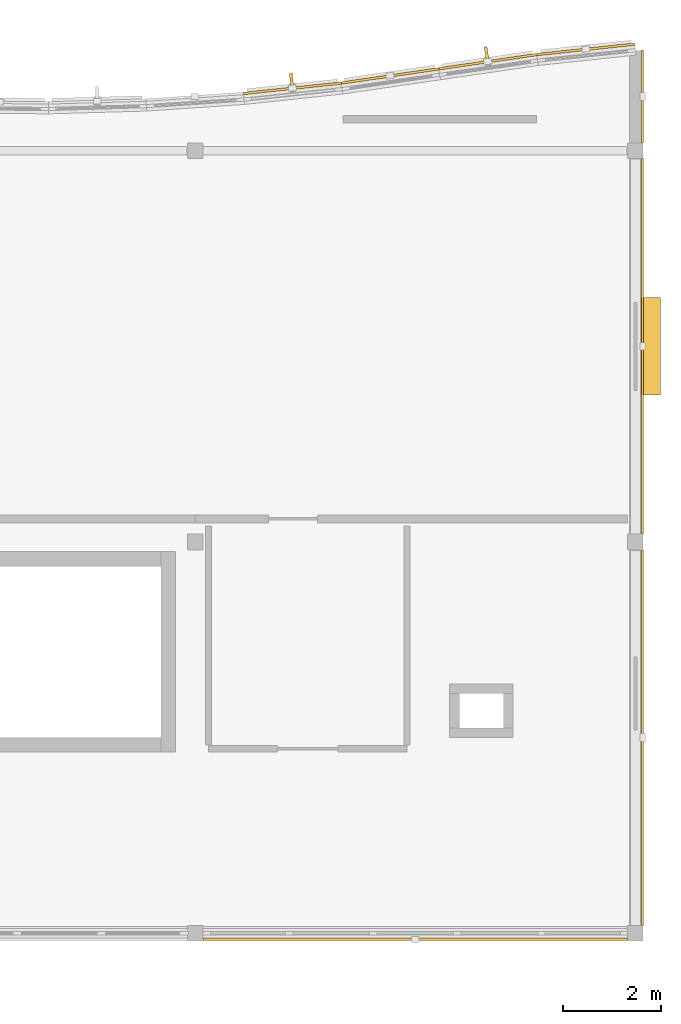
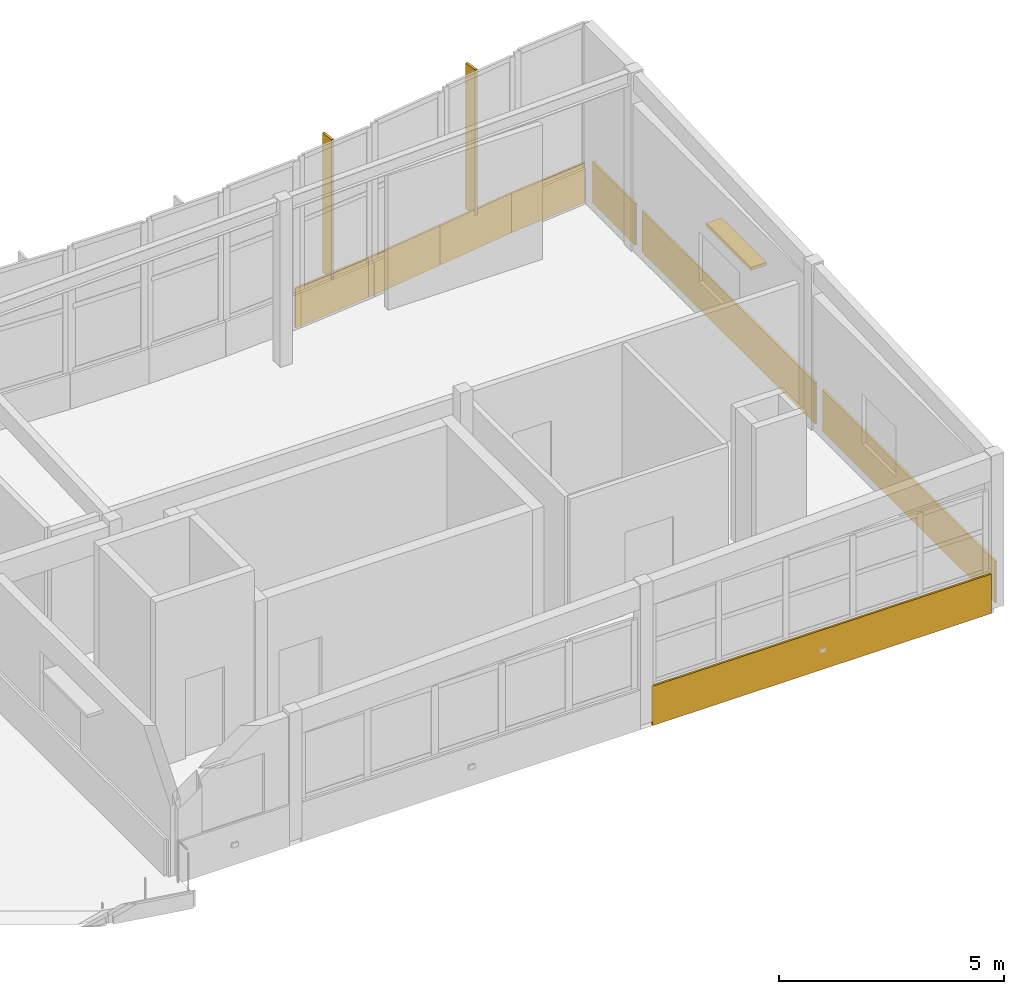
# One storey, part 20 of 20: 8 coverings, 3 shading devices.
"""IFC4 building model written with IfcOpenShell, lengths in metres."""

import ifcopenshell
import ifcopenshell.guid

model = None  # the IFC model being written
_history = None  # IfcOwnerHistory: only IFC2X3 demands one
_inside = {}  # id of a spatial element -> (the spatial element, [elements in it])
_under = {}  # id of a project, library or spatial element -> (it, [spatial elements below it])
_declared = {}  # id of a project -> (the project, [libraries it declares])
_typed = {}  # id of a type object -> (the type object, [elements of that type])
_made_of = {}  # id of a material, layer set ... -> (it, [elements and type objects made of it])


def new_model(schema):
    """Start an empty IFC model of exactly this schema.

    Asked for "IFC4X3", IfcOpenShell would pick the latest addendum, in which some entities
    have other attributes; the version numbers below select the first issue.
    IFC2X3 requires an IfcOwnerHistory on every rooted entity: one is made here for all.
    """
    global model, _history
    if schema == "IFC4X3":
        model = ifcopenshell.file(schema_version=(4, 3, 0, 0))
    else:
        model = ifcopenshell.file(schema=schema)
    _inside.clear()
    _under.clear()
    _declared.clear()
    _typed.clear()
    _made_of.clear()
    _history = None
    if model.schema == "IFC2X3":
        org = make("IfcOrganization", Name="unknown")
        user = make(
            "IfcPersonAndOrganization",
            ThePerson=make("IfcPerson", FamilyName="unknown"),
            TheOrganization=org,
        )
        app = make(
            "IfcApplication",
            ApplicationDeveloper=org,
            Version="unknown",
            ApplicationFullName="unknown",
            ApplicationIdentifier="unknown",
        )
        _history = make(
            "IfcOwnerHistory",
            OwningUser=user,
            OwningApplication=app,
            ChangeAction="ADDED",
            CreationDate=0,
        )
    return model


def make(cls, **values):
    """One entity of the class cls with the attributes given. An attribute that is None is left unset."""
    return model.create_entity(
        cls, **{name: value for name, value in values.items() if value is not None}
    )


def rooted(cls, **values):
    """An entity with a GlobalId (a new one), such as an element, a storey or a relation."""
    return make(cls, GlobalId=ifcopenshell.guid.new(), OwnerHistory=_history, **values)


def si_unit(unit_type, name, prefix=None):
    """IfcSIUnit, for example si_unit("LENGTHUNIT", "METRE", prefix="MILLI")."""
    return make("IfcSIUnit", UnitType=unit_type, Prefix=prefix, Name=name)


def assignment(units):
    """IfcUnitAssignment: the units of a project."""
    return None if units is None else make("IfcUnitAssignment", Units=units)


def point(xyz):
    """IfcCartesianPoint."""
    return None if xyz is None else make("IfcCartesianPoint", Coordinates=xyz)


def direction(xyz):
    """IfcDirection."""
    return None if xyz is None else make("IfcDirection", DirectionRatios=xyz)


def frame(location, z_axis=None, x_axis=None):
    """IfcAxis2Placement3D, a coordinate frame: its origin and axes. An axis left out is left unset."""
    return make(
        "IfcAxis2Placement3D",
        Location=point(location),
        Axis=direction(z_axis),
        RefDirection=direction(x_axis),
    )


def frame_2d(location, x_axis=None):
    """IfcAxis2Placement2D, a coordinate frame in the plane: its origin and x axis."""
    return make(
        "IfcAxis2Placement2D", Location=point(location), RefDirection=direction(x_axis)
    )


def origin():
    """The frame at (0, 0, 0) with its axes left unset."""
    return frame((0.0, 0.0, 0.0))


def origin_2d():
    """The frame at (0, 0) in the plane with its x axis left unset."""
    return frame_2d((0.0, 0.0))


def place(relative_to, where):
    """IfcLocalPlacement: puts the frame where relative to a parent placement (None: the world)."""
    return make(
        "IfcLocalPlacement", PlacementRelTo=relative_to, RelativePlacement=where
    )


def context(
    kind, dimensions, precision=None, world=None, true_north=None, identifier=None
):
    """IfcGeometricRepresentationContext, for example the 3D "Model" context."""
    return make(
        "IfcGeometricRepresentationContext",
        ContextIdentifier=identifier,
        ContextType=kind,
        CoordinateSpaceDimension=dimensions,
        Precision=precision,
        WorldCoordinateSystem=world,
        TrueNorth=true_north,
    )


def subcontext(parent, identifier, kind, view, scale=None):
    """IfcGeometricRepresentationSubContext, for example "Body" below "Model"."""
    return make(
        "IfcGeometricRepresentationSubContext",
        ContextIdentifier=identifier,
        ContextType=kind,
        ParentContext=parent,
        TargetScale=scale,
        TargetView=view,
    )


def project(units=None, contexts=None):
    """IfcProject with its units and contexts."""
    return rooted(
        "IfcProject",
        Name="project",
        RepresentationContexts=contexts,
        UnitsInContext=assignment(units),
    )


def spatial(cls, under=None, at=None, **own):
    """A site, building, storey or space (cls), placed at a placement, below another one or the project."""
    s = rooted(cls, ObjectPlacement=at, **own)
    if under is not None:
        _under.setdefault(under.id(), (under, []))[1].append(s)
    return s


def polyline(points):
    """IfcPolyline through the points."""
    return make("IfcPolyline", Points=[point(p) for p in points])


def profile(cls, at=None, kind="AREA", **sizes):
    """A parametric profile (cls). Its sizes go by their IFC names, for example OverallWidth=200.0."""
    return make(cls, ProfileType=kind, Position=at, **sizes)


def rectangle(**sizes):
    """IfcRectangleProfileDef."""
    return profile("IfcRectangleProfileDef", **sizes)


def outline(outer, holes=None, kind="AREA"):
    """IfcArbitraryClosedProfileDef: a profile drawn as a closed curve; with holes, ...WithVoids."""
    if holes is None:
        return make("IfcArbitraryClosedProfileDef", ProfileType=kind, OuterCurve=outer)
    return make(
        "IfcArbitraryProfileDefWithVoids",
        ProfileType=kind,
        OuterCurve=outer,
        InnerCurves=holes,
    )


def extrude(swept, where, along, depth):
    """IfcExtrudedAreaSolid: the profile swept, set in the frame where, extruded along a direction by depth."""
    return make(
        "IfcExtrudedAreaSolid",
        SweptArea=swept,
        Position=where,
        ExtrudedDirection=direction(along),
        Depth=depth,
    )


def shape(context_of_items, identifier, shape_type, items):
    """IfcShapeRepresentation: the items that make up one representation, for example the "Body"."""
    return make(
        "IfcShapeRepresentation",
        ContextOfItems=context_of_items,
        RepresentationIdentifier=identifier,
        RepresentationType=shape_type,
        Items=items,
    )


def material(Name=None, Category=None):
    """IfcMaterial."""
    return make("IfcMaterial", Name=Name, Category=Category)


def layer(
    of_material, thickness, ventilated=None, Name=None, Category=None, Priority=None
):
    """IfcMaterialLayer: one layer of a wall or slab, of a material (None: an air gap)."""
    return make(
        "IfcMaterialLayer",
        Material=of_material,
        LayerThickness=thickness,
        IsVentilated=ventilated,
        Name=Name,
        Category=Category,
        Priority=Priority,
    )


def layer_set(layers, Name=None):
    """IfcMaterialLayerSet."""
    return make("IfcMaterialLayerSet", MaterialLayers=layers, LayerSetName=Name)


def made_of(thing, what):
    """Note that an element or type object is made of a material, layer set ...; save() writes the relation."""
    if what is not None:
        _made_of.setdefault(what.id(), (what, []))[1].append(thing)
    return thing


def type_object(cls, material=None, **own):
    """A type object (cls), such as IfcWallType, which elements share."""
    return made_of(rooted(cls, **own), material)


def element(
    cls,
    number,
    at=None,
    inside=None,
    cuts=None,
    type_object=None,
    material=None,
    context=None,
    identifier="Body",
    shape_type=None,
    held_by="IfcProductDefinitionShape",
    body=None,
    shapes=None,
    **own,
):
    """One element of the class cls, such as IfcWall. Its Tag is "e" and its number.

    at: its placement. inside: the storey or other place that contains it. cuts: it is an
    opening in that element (IfcRelVoidsElement). A single representation is given by context,
    identifier, shape_type and body (its items); several are given by shapes. held_by: the class
    of the entity that holds the representations. save() writes the other relations.
    """
    e = rooted(cls, Tag="e%d" % number, ObjectPlacement=at, **own)
    if body is not None:
        shapes = [shape(context, identifier, shape_type, body)]
    if shapes is not None:
        e.Representation = make(held_by, Representations=shapes)
    if inside is not None:
        _inside.setdefault(inside.id(), (inside, []))[1].append(e)
    if cuts is not None:
        rooted(
            "IfcRelVoidsElement", RelatingBuildingElement=cuts, RelatedOpeningElement=e
        )
    if type_object is not None:
        _typed.setdefault(type_object.id(), (type_object, []))[1].append(e)
    return made_of(e, material)


def aggregate(whole, parts):
    """IfcRelAggregates: a whole, such as a stair, and the parts it consists of."""
    return rooted("IfcRelAggregates", RelatingObject=whole, RelatedObjects=parts)


def save(model, path):
    """Write the relations noted so far, then the file.

    IfcRelAggregates (storeys below a building ...), IfcRelContainedInSpatialStructure (elements
    in a storey), IfcRelDefinesByType, IfcRelAssociatesMaterial and IfcRelDeclares: one each for
    every whole, place, type object, material and project.
    """
    for whole, parts in _under.values():
        aggregate(whole, parts)
    for where, things in _inside.values():
        rooted(
            "IfcRelContainedInSpatialStructure",
            RelatedElements=things,
            RelatingStructure=where,
        )
    for kind, things in _typed.values():
        rooted("IfcRelDefinesByType", RelatedObjects=things, RelatingType=kind)
    for what, things in _made_of.values():
        rooted("IfcRelAssociatesMaterial", RelatedObjects=things, RelatingMaterial=what)
    for by, libraries in _declared.values():
        rooted("IfcRelDeclares", RelatingContext=by, RelatedDefinitions=libraries)
    model.write(path)


model = new_model("IFC4")

# Units and contexts
model_context = context("Model", 3, precision=1e-05, world=origin(), true_north=direction((0.0, 1.0)))
body_context = subcontext(model_context, "Body", "Model", "MODEL_VIEW")
ifc_project = project(units=[si_unit("LENGTHUNIT", "METRE"), si_unit("AREAUNIT", "SQUARE_METRE"), si_unit("VOLUMEUNIT", "CUBIC_METRE"), si_unit("PLANEANGLEUNIT", "RADIAN"), si_unit("MASSUNIT", "GRAM", prefix="KILO")], contexts=[model_context])

# Site, building, storey
site_placement = place(None, origin())
site = spatial("IfcSite", under=ifc_project, at=site_placement, CompositionType="ELEMENT")
building_placement = place(site_placement, origin())
building = spatial("IfcBuilding", under=site, at=building_placement, Name="Tonlespit Floodbar School", CompositionType="ELEMENT")
storey_placement = place(building_placement, frame((0.0, 0.0, 20.10009765625)))
storey = spatial("IfcBuildingStorey", under=building, at=storey_placement, Name="L05", CompositionType="ELEMENT", Elevation=20.10009765625)

# Coverings
ifc_material_1 = material(Name="White Architectural Aluminium", Category="aluminium")
ifc_layer_1 = layer(ifc_material_1, 0.050048828125)
ifc_layer_set_1 = layer_set([ifc_layer_1], Name="White Architectural Aluminium")
covering_type = type_object("IfcCoveringType", Name="Cladding_WhiteBand_50", PredefinedType="CLADDING", material=ifc_layer_set_1)
covering_1_placement = place(storey_placement, frame((0.0, 0.0, -0.1201171875)))
element("IfcCovering", 1, at=covering_1_placement, inside=storey, type_object=covering_type, Name="L05 curved white spandrel cladding 0444", PredefinedType="CLADDING", context=body_context, shape_type="SweptSolid", body=[
    extrude(outline(polyline([(107.989501953125, 121.14501953125), (109.989501953125, 121.35791015625), (109.984130859375, 121.407470703125), (107.984130859375, 121.19482421875), (107.989501953125, 121.14501953125)])), origin(), (0.0, 0.0, 1.0), 1.070068359375),
])
covering_2_placement = place(storey_placement, frame((0.0, 0.0, -0.1201171875)))
element("IfcCovering", 2, at=covering_2_placement, inside=storey, type_object=covering_type, Name="L05 curved white spandrel cladding 0446", PredefinedType="CLADDING", context=body_context, shape_type="SweptSolid", body=[
    extrude(outline(polyline([(109.985595703125, 121.357421875), (111.985595703125, 121.64892578125), (111.978515625, 121.698486328125), (109.978515625, 121.406982421875), (109.985595703125, 121.357421875)])), origin(), (0.0, 0.0, 1.0), 1.070068359375),
])
covering_3_placement = place(storey_placement, frame((0.0, 0.0, -0.1201171875)))
element("IfcCovering", 3, at=covering_3_placement, inside=storey, type_object=covering_type, Name="L05 curved white spandrel cladding 0448", PredefinedType="CLADDING", context=body_context, shape_type="SweptSolid", body=[
    extrude(outline(polyline([(111.985595703125, 121.64892578125), (113.985595703125, 121.940673828125), (113.978515625, 121.989990234375), (111.978515625, 121.698486328125), (111.985595703125, 121.64892578125)])), origin(), (0.0, 0.0, 1.0), 1.070068359375),
])
covering_4_placement = place(storey_placement, frame((0.0, 0.0, -0.1201171875)))
element("IfcCovering", 4, at=covering_4_placement, inside=storey, type_object=covering_type, Name="L05 curved white spandrel cladding 0450", PredefinedType="CLADDING", context=body_context, shape_type="SweptSolid", body=[
    extrude(outline(polyline([(113.989501953125, 121.94091796875), (115.989501953125, 122.15380859375), (115.984130859375, 122.203369140625), (113.984130859375, 121.99072265625), (113.989501953125, 121.94091796875)])), origin(), (0.0, 0.0, 1.0), 1.070068359375),
])
covering_5_placement = place(storey_placement, frame((0.0, 0.0, -0.1201171875)))
element("IfcCovering", 5, at=covering_5_placement, inside=storey, type_object=covering_type, Name="L05 curved white spandrel cladding 0452", PredefinedType="CLADDING", context=body_context, shape_type="SweptSolid", body=[
    extrude(outline(polyline([(115.840087890625, 103.89990234375), (107.159912109375, 103.89990234375), (107.159912109375, 103.85009765625), (115.840087890625, 103.85009765625), (115.840087890625, 103.89990234375)])), origin(), (0.0, 0.0, 1.0), 1.070068359375),
])
covering_6_placement = place(storey_placement, frame((0.0, 0.0, -0.1201171875)))
element("IfcCovering", 6, at=covering_6_placement, inside=storey, type_object=covering_type, Name="L05 curved white spandrel cladding 0467", PredefinedType="CLADDING", context=body_context, shape_type="SweptSolid", body=[
    extrude(outline(polyline([(116.1201171875, 111.840087890625), (116.1201171875, 104.159912109375), (116.169921875, 104.159912109375), (116.169921875, 111.840087890625), (116.1201171875, 111.840087890625)])), origin(), (0.0, 0.0, 1.0), 1.1201171875),
])
covering_7_placement = place(storey_placement, frame((0.0, 0.0, -0.1201171875)))
element("IfcCovering", 7, at=covering_7_placement, inside=storey, type_object=covering_type, Name="L05 curved white spandrel cladding 0468", PredefinedType="CLADDING", context=body_context, shape_type="SweptSolid", body=[
    extrude(outline(polyline([(116.1201171875, 119.840087890625), (116.1201171875, 112.159912109375), (116.169921875, 112.159912109375), (116.169921875, 119.840087890625), (116.1201171875, 119.840087890625)])), origin(), (0.0, 0.0, 1.0), 1.1201171875),
])
covering_8_placement = place(storey_placement, frame((0.0, 0.0, -0.1201171875)))
element("IfcCovering", 8, at=covering_8_placement, inside=storey, type_object=covering_type, Name="L05 curved white spandrel cladding 0469", PredefinedType="CLADDING", context=body_context, shape_type="SweptSolid", body=[
    extrude(outline(polyline([(116.1201171875, 122.05419921875), (116.1201171875, 120.159912109375), (116.169921875, 120.159912109375), (116.169921875, 122.05419921875), (116.1201171875, 122.05419921875)])), origin(), (0.0, 0.0, 1.0), 1.1201171875),
])

# Shading devices
ifc_material_2 = material(Name="Anodised Aluminium", Category="aluminium")
ifc_layer_2 = layer(ifc_material_2, 0.080078125)
ifc_layer_set_2 = layer_set([ifc_layer_2], Name="Anodised Aluminium")
shading_device_type_1 = type_object("IfcShadingDeviceType", Name="Shading_MonsoonJalousie_400", PredefinedType="JALOUSIE", material=ifc_layer_set_2)
shading_device_1_placement = place(storey_placement, frame((116.318115234375, 116.0, 2.31982421875), z_axis=(0.0, 0.0, 1.0), x_axis=(0.0, -1.0, 0.0)))
element("IfcShadingDevice", 9, at=shading_device_1_placement, inside=storey, type_object=shading_device_type_1, Name="L05 monsoon jalousie 112", PredefinedType="JALOUSIE", context=body_context, shape_type="SweptSolid", body=[
    extrude(rectangle(XDim=2.0, YDim=0.39990234375, at=origin_2d()), origin(), (0.0, 0.0, 1.0), 0.080078125),
])
ifc_material_3 = material(Name="Terracotta Anodised Aluminium", Category="masonry")
ifc_layer_3 = layer(ifc_material_3, 0.06005859375)
ifc_layer_set_3 = layer_set([ifc_layer_3], Name="Terracotta Anodised Aluminium")
shading_device_type_2 = type_object("IfcShadingDeviceType", Name="Shading_SolarFin_350", PredefinedType="USERDEFINED", material=ifc_layer_set_3)
shading_device_2_placement = place(storey_placement, frame((108.972412109375, 121.41064453125, 0.7998046875), z_axis=(0.0, 0.0, 1.0), x_axis=(0.99439234017, 0.105753835922, 0.0)))
element("IfcShadingDevice", 10, at=shading_device_2_placement, inside=storey, type_object=shading_device_type_2, Name="L05 vertical solar fin 109", ObjectType="SOLAR FIN", PredefinedType="USERDEFINED", context=body_context, shape_type="SweptSolid", body=[
    extrude(rectangle(XDim=0.06005859375, YDim=0.35009765625, at=origin_2d()), origin(), (0.0, 0.0, 1.0), 3.7841796875),
])
shading_device_3_placement = place(storey_placement, frame((112.96240234375, 121.953125, 0.7998046875), z_axis=(0.0, 0.0, 1.0), x_axis=(0.989537627347, 0.144275029245, 0.0)))
element("IfcShadingDevice", 11, at=shading_device_3_placement, inside=storey, type_object=shading_device_type_2, Name="L05 vertical solar fin 110", ObjectType="SOLAR FIN", PredefinedType="USERDEFINED", context=body_context, shape_type="SweptSolid", body=[
    extrude(rectangle(XDim=0.06005859375, YDim=0.35009765625, at=origin_2d()), origin(), (0.0, 0.0, 1.0), 3.952880859375),
])

save(model, "model.ifc")
